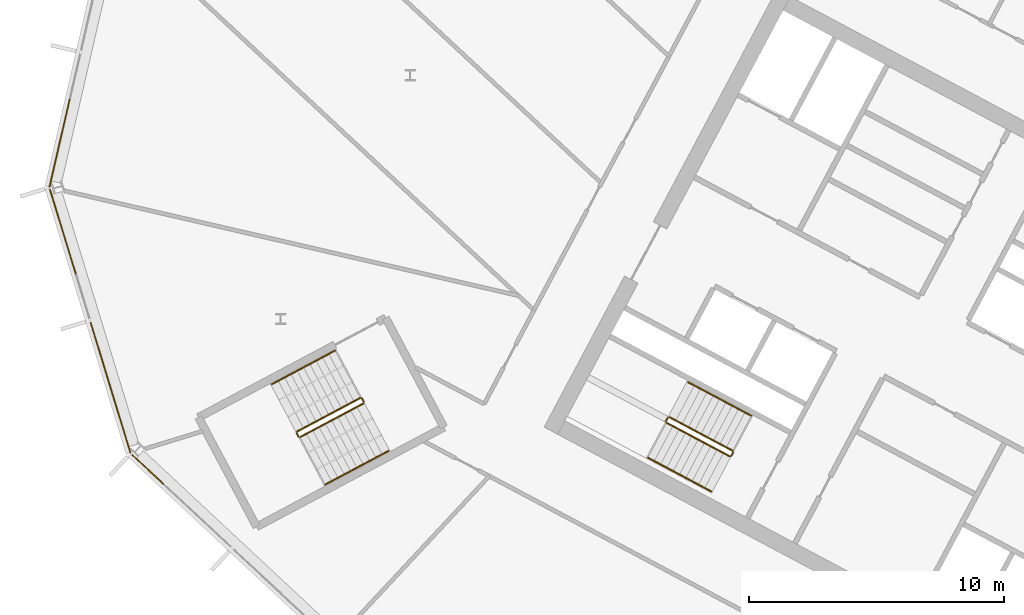
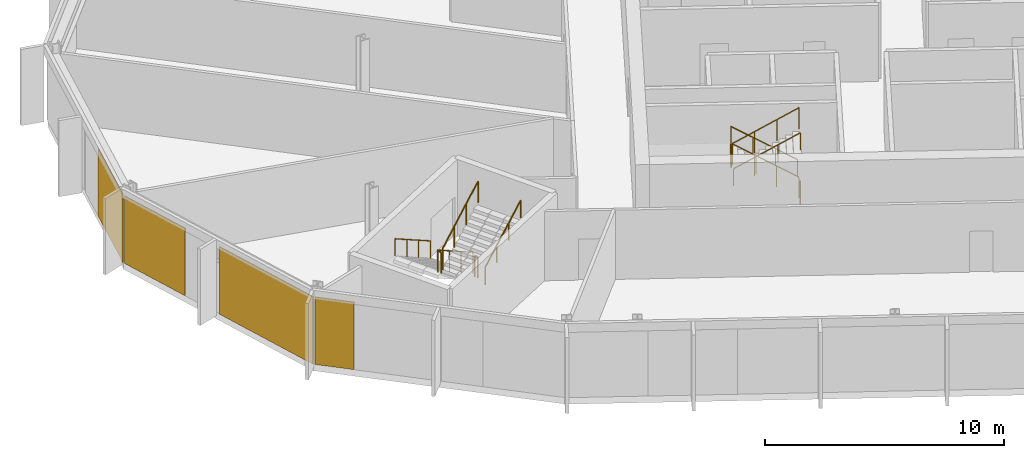
# One storey, part 20 of 26: 12 railings, 4 coverings, 3 elements without a shape of their own.
"""IFC4 building model written with IfcOpenShell, lengths in metres."""

import ifcopenshell
import ifcopenshell.guid

model = None  # the IFC model being written
_history = None  # IfcOwnerHistory: only IFC2X3 demands one
_inside = {}  # id of a spatial element -> (the spatial element, [elements in it])
_under = {}  # id of a project, library or spatial element -> (it, [spatial elements below it])
_declared = {}  # id of a project -> (the project, [libraries it declares])
_typed = {}  # id of a type object -> (the type object, [elements of that type])
_made_of = {}  # id of a material, layer set ... -> (it, [elements and type objects made of it])


def new_model(schema):
    """Start an empty IFC model of exactly this schema.

    Asked for "IFC4X3", IfcOpenShell would pick the latest addendum, in which some entities
    have other attributes; the version numbers below select the first issue.
    IFC2X3 requires an IfcOwnerHistory on every rooted entity: one is made here for all.
    """
    global model, _history
    if schema == "IFC4X3":
        model = ifcopenshell.file(schema_version=(4, 3, 0, 0))
    else:
        model = ifcopenshell.file(schema=schema)
    _inside.clear()
    _under.clear()
    _declared.clear()
    _typed.clear()
    _made_of.clear()
    _history = None
    if model.schema == "IFC2X3":
        org = make("IfcOrganization", Name="unknown")
        user = make(
            "IfcPersonAndOrganization",
            ThePerson=make("IfcPerson", FamilyName="unknown"),
            TheOrganization=org,
        )
        app = make(
            "IfcApplication",
            ApplicationDeveloper=org,
            Version="unknown",
            ApplicationFullName="unknown",
            ApplicationIdentifier="unknown",
        )
        _history = make(
            "IfcOwnerHistory",
            OwningUser=user,
            OwningApplication=app,
            ChangeAction="ADDED",
            CreationDate=0,
        )
    return model


def make(cls, **values):
    """One entity of the class cls with the attributes given. An attribute that is None is left unset."""
    return model.create_entity(
        cls, **{name: value for name, value in values.items() if value is not None}
    )


def rooted(cls, **values):
    """An entity with a GlobalId (a new one), such as an element, a storey or a relation."""
    return make(cls, GlobalId=ifcopenshell.guid.new(), OwnerHistory=_history, **values)


def si_unit(unit_type, name, prefix=None):
    """IfcSIUnit, for example si_unit("LENGTHUNIT", "METRE", prefix="MILLI")."""
    return make("IfcSIUnit", UnitType=unit_type, Prefix=prefix, Name=name)


def assignment(units):
    """IfcUnitAssignment: the units of a project."""
    return None if units is None else make("IfcUnitAssignment", Units=units)


def point(xyz):
    """IfcCartesianPoint."""
    return None if xyz is None else make("IfcCartesianPoint", Coordinates=xyz)


def direction(xyz):
    """IfcDirection."""
    return None if xyz is None else make("IfcDirection", DirectionRatios=xyz)


def frame(location, z_axis=None, x_axis=None):
    """IfcAxis2Placement3D, a coordinate frame: its origin and axes. An axis left out is left unset."""
    return make(
        "IfcAxis2Placement3D",
        Location=point(location),
        Axis=direction(z_axis),
        RefDirection=direction(x_axis),
    )


def frame_2d(location, x_axis=None):
    """IfcAxis2Placement2D, a coordinate frame in the plane: its origin and x axis."""
    return make(
        "IfcAxis2Placement2D", Location=point(location), RefDirection=direction(x_axis)
    )


def origin():
    """The frame at (0, 0, 0) with its axes left unset."""
    return frame((0.0, 0.0, 0.0))


def origin_2d():
    """The frame at (0, 0) in the plane with its x axis left unset."""
    return frame_2d((0.0, 0.0))


def place(relative_to, where):
    """IfcLocalPlacement: puts the frame where relative to a parent placement (None: the world)."""
    return make(
        "IfcLocalPlacement", PlacementRelTo=relative_to, RelativePlacement=where
    )


def context(
    kind, dimensions, precision=None, world=None, true_north=None, identifier=None
):
    """IfcGeometricRepresentationContext, for example the 3D "Model" context."""
    return make(
        "IfcGeometricRepresentationContext",
        ContextIdentifier=identifier,
        ContextType=kind,
        CoordinateSpaceDimension=dimensions,
        Precision=precision,
        WorldCoordinateSystem=world,
        TrueNorth=true_north,
    )


def subcontext(parent, identifier, kind, view, scale=None):
    """IfcGeometricRepresentationSubContext, for example "Body" below "Model"."""
    return make(
        "IfcGeometricRepresentationSubContext",
        ContextIdentifier=identifier,
        ContextType=kind,
        ParentContext=parent,
        TargetScale=scale,
        TargetView=view,
    )


def project(units=None, contexts=None):
    """IfcProject with its units and contexts."""
    return rooted(
        "IfcProject",
        Name="project",
        RepresentationContexts=contexts,
        UnitsInContext=assignment(units),
    )


def spatial(cls, under=None, at=None, **own):
    """A site, building, storey or space (cls), placed at a placement, below another one or the project."""
    s = rooted(cls, ObjectPlacement=at, **own)
    if under is not None:
        _under.setdefault(under.id(), (under, []))[1].append(s)
    return s


def polyline(points):
    """IfcPolyline through the points."""
    return make("IfcPolyline", Points=[point(p) for p in points])


def profile(cls, at=None, kind="AREA", **sizes):
    """A parametric profile (cls). Its sizes go by their IFC names, for example OverallWidth=200.0."""
    return make(cls, ProfileType=kind, Position=at, **sizes)


def rectangle(**sizes):
    """IfcRectangleProfileDef."""
    return profile("IfcRectangleProfileDef", **sizes)


def outline(outer, holes=None, kind="AREA"):
    """IfcArbitraryClosedProfileDef: a profile drawn as a closed curve; with holes, ...WithVoids."""
    if holes is None:
        return make("IfcArbitraryClosedProfileDef", ProfileType=kind, OuterCurve=outer)
    return make(
        "IfcArbitraryProfileDefWithVoids",
        ProfileType=kind,
        OuterCurve=outer,
        InnerCurves=holes,
    )


def extrude(swept, where, along, depth):
    """IfcExtrudedAreaSolid: the profile swept, set in the frame where, extruded along a direction by depth."""
    return make(
        "IfcExtrudedAreaSolid",
        SweptArea=swept,
        Position=where,
        ExtrudedDirection=direction(along),
        Depth=depth,
    )


def shape(context_of_items, identifier, shape_type, items):
    """IfcShapeRepresentation: the items that make up one representation, for example the "Body"."""
    return make(
        "IfcShapeRepresentation",
        ContextOfItems=context_of_items,
        RepresentationIdentifier=identifier,
        RepresentationType=shape_type,
        Items=items,
    )


def material(Name=None, Category=None):
    """IfcMaterial."""
    return make("IfcMaterial", Name=Name, Category=Category)


def layer(
    of_material, thickness, ventilated=None, Name=None, Category=None, Priority=None
):
    """IfcMaterialLayer: one layer of a wall or slab, of a material (None: an air gap)."""
    return make(
        "IfcMaterialLayer",
        Material=of_material,
        LayerThickness=thickness,
        IsVentilated=ventilated,
        Name=Name,
        Category=Category,
        Priority=Priority,
    )


def layer_set(layers, Name=None):
    """IfcMaterialLayerSet."""
    return make("IfcMaterialLayerSet", MaterialLayers=layers, LayerSetName=Name)


def made_of(thing, what):
    """Note that an element or type object is made of a material, layer set ...; save() writes the relation."""
    if what is not None:
        _made_of.setdefault(what.id(), (what, []))[1].append(thing)
    return thing


def type_object(cls, material=None, **own):
    """A type object (cls), such as IfcWallType, which elements share."""
    return made_of(rooted(cls, **own), material)


def element(
    cls,
    number,
    at=None,
    inside=None,
    cuts=None,
    type_object=None,
    material=None,
    context=None,
    identifier="Body",
    shape_type=None,
    held_by="IfcProductDefinitionShape",
    body=None,
    shapes=None,
    **own,
):
    """One element of the class cls, such as IfcWall. Its Tag is "e" and its number.

    at: its placement. inside: the storey or other place that contains it. cuts: it is an
    opening in that element (IfcRelVoidsElement). A single representation is given by context,
    identifier, shape_type and body (its items); several are given by shapes. held_by: the class
    of the entity that holds the representations. save() writes the other relations.
    """
    e = rooted(cls, Tag="e%d" % number, ObjectPlacement=at, **own)
    if body is not None:
        shapes = [shape(context, identifier, shape_type, body)]
    if shapes is not None:
        e.Representation = make(held_by, Representations=shapes)
    if inside is not None:
        _inside.setdefault(inside.id(), (inside, []))[1].append(e)
    if cuts is not None:
        rooted(
            "IfcRelVoidsElement", RelatingBuildingElement=cuts, RelatedOpeningElement=e
        )
    if type_object is not None:
        _typed.setdefault(type_object.id(), (type_object, []))[1].append(e)
    return made_of(e, material)


def aggregate(whole, parts):
    """IfcRelAggregates: a whole, such as a stair, and the parts it consists of."""
    return rooted("IfcRelAggregates", RelatingObject=whole, RelatedObjects=parts)


def save(model, path):
    """Write the relations noted so far, then the file.

    IfcRelAggregates (storeys below a building ...), IfcRelContainedInSpatialStructure (elements
    in a storey), IfcRelDefinesByType, IfcRelAssociatesMaterial and IfcRelDeclares: one each for
    every whole, place, type object, material and project.
    """
    for whole, parts in _under.values():
        aggregate(whole, parts)
    for where, things in _inside.values():
        rooted(
            "IfcRelContainedInSpatialStructure",
            RelatedElements=things,
            RelatingStructure=where,
        )
    for kind, things in _typed.values():
        rooted("IfcRelDefinesByType", RelatedObjects=things, RelatingType=kind)
    for what, things in _made_of.values():
        rooted("IfcRelAssociatesMaterial", RelatedObjects=things, RelatingMaterial=what)
    for by, libraries in _declared.values():
        rooted("IfcRelDeclares", RelatingContext=by, RelatedDefinitions=libraries)
    model.write(path)


model = new_model("IFC4")

# Units and contexts
model_context = context("Model", 3, precision=1e-05, world=origin(), true_north=direction((0.0, 1.0)))
body_context = subcontext(model_context, "Body", "Model", "MODEL_VIEW")
ifc_project = project(units=[si_unit("LENGTHUNIT", "METRE"), si_unit("AREAUNIT", "SQUARE_METRE"), si_unit("VOLUMEUNIT", "CUBIC_METRE"), si_unit("PLANEANGLEUNIT", "RADIAN"), si_unit("MASSUNIT", "GRAM", prefix="KILO")], contexts=[model_context])

# Site, building, storey
site_placement = place(None, origin())
site = spatial("IfcSite", under=ifc_project, at=site_placement, CompositionType="ELEMENT")
building_placement = place(site_placement, origin())
building = spatial("IfcBuilding", under=site, at=building_placement, Name="Cormorant Relay Tower", CompositionType="ELEMENT")
storey_placement = place(building_placement, frame((0.0, 0.0, 205.199951171875)))
storey = spatial("IfcBuildingStorey", under=building, at=storey_placement, Name="L44", CompositionType="ELEMENT", Elevation=205.199951171875)

# Curtain wall, covering
ifc_material_1 = material(Name="Aluminium 6063-T6 anodised bronze", Category="aluminium")
ifc_layer_1 = layer(ifc_material_1, 0.199951171875)
ifc_layer_set_1 = layer_set([ifc_layer_1], Name="CW1 unitised bronze curtain wall with vertical fins")
curtain_wall_type = type_object("IfcCurtainWallType", Name="CW1 unitised bronze curtain wall with vertical fins", PredefinedType="NOTDEFINED", material=ifc_layer_set_1)
curtain_wall_1_placement = place(storey_placement, origin())
curtain_wall_1 = element("IfcCurtainWall", 1, at=curtain_wall_1_placement, inside=storey, type_object=curtain_wall_type, Name="CW1 curtain wall 13", PredefinedType="NOTDEFINED")
ifc_material_2 = material(Name="Pale bronze anodised aluminium insulated panel", Category="aluminium")
ifc_layer_2 = layer(ifc_material_2, 0.0400390625)
ifc_layer_set_2 = layer_set([ifc_layer_2], Name="CW1 pale bronze insulated panel 40")
covering_type = type_object("IfcCoveringType", Name="CW1 pale bronze insulated panel 40", PredefinedType="CLADDING", material=ifc_layer_set_2)
covering_1_placement = place(storey_placement, frame((-60.3388671875, 22.13232421875, 0.0), z_axis=(0.0, 0.0, 1.0), x_axis=(-0.224951054344, -0.974370064785, 0.0)))
covering_1 = element("IfcCovering", 2, at=covering_1_placement, type_object=covering_type, Name="CW1 panel S02", PredefinedType="CLADDING", context=body_context, shape_type="SweptSolid", body=[
    extrude(rectangle(XDim=3.560302734375, YDim=0.0400390625, at=origin_2d()), origin(), (0.0, 0.0, 1.0), 3.449951171875),
])
aggregate(curtain_wall_1, [covering_1])

# Curtain wall, coverings
curtain_wall_2_placement = place(storey_placement, origin())
curtain_wall_2 = element("IfcCurtainWall", 3, at=curtain_wall_2_placement, inside=storey, type_object=curtain_wall_type, Name="CW1 curtain wall 14", PredefinedType="NOTDEFINED")
covering_2_placement = place(storey_placement, frame((-60.20751953125, 18.6494140625, 0.0), z_axis=(0.0, 0.0, 1.0), x_axis=(0.292371704723, -0.956304755963, 0.0)))
covering_2 = element("IfcCovering", 4, at=covering_2_placement, type_object=covering_type, Name="CW1 panel S00", PredefinedType="CLADDING", context=body_context, shape_type="SweptSolid", body=[
    extrude(rectangle(XDim=3.485107421875, YDim=0.0400390625, at=origin_2d()), origin(), (0.0, 0.0, 1.0), 3.449951171875),
])
covering_3_placement = place(storey_placement, frame((-58.344482421875, 12.55517578125, 0.0), z_axis=(0.0, 0.0, 1.0), x_axis=(0.292371704723, -0.956304755963, 0.0)))
covering_3 = element("IfcCovering", 5, at=covering_3_placement, type_object=covering_type, Name="CW1 panel S02", PredefinedType="CLADDING", context=body_context, shape_type="SweptSolid", body=[
    extrude(rectangle(XDim=5.360107421875, YDim=0.0400390625, at=origin_2d()), origin(), (0.0, 0.0, 1.0), 3.449951171875),
])
aggregate(curtain_wall_2, [covering_2, covering_3])

# Curtain wall, covering
curtain_wall_3_placement = place(storey_placement, origin())
curtain_wall_3 = element("IfcCurtainWall", 6, at=curtain_wall_3_placement, inside=storey, type_object=curtain_wall_type, Name="CW1 curtain wall 15", PredefinedType="NOTDEFINED")
covering_4_placement = place(storey_placement, frame((-56.88427734375, 9.357421875, 0.0), z_axis=(0.0, 0.0, 1.0), x_axis=(0.731353701619, -0.681998360062, 0.0)))
covering_4 = element("IfcCovering", 7, at=covering_4_placement, type_object=covering_type, Name="CW1 panel S00", PredefinedType="CLADDING", context=body_context, shape_type="SweptSolid", body=[
    extrude(rectangle(XDim=1.685302734375, YDim=0.0400390625, at=origin_2d()), origin(), (0.0, 0.0, 1.0), 3.449951171875),
])
aggregate(curtain_wall_3, [covering_4])

# Railings
ifc_material_3 = material(Name="Steel ASTM A572 Grade 50 (Fy 345 MPa)", Category="steel")
railing_type_1 = type_object("IfcRailingType", Name="Stair guard 1100", PredefinedType="GUARDRAIL", material=ifc_material_3)
railing_1_placement = place(storey_placement, frame((-33.9921875, 10.08935546875, 0.17724609375)))
element("IfcRailing", 8, at=railing_1_placement, inside=storey, type_object=railing_type_1, Name="L44 A2 stair guard 1", PredefinedType="GUARDRAIL", context=body_context, shape_type="SweptSolid", body=[
    extrude(outline(polyline([(0.022216796875, 0.00927734375), (0.00927734375, 0.022216796875), (-0.00927734375, 0.022216796875), (-0.022216796875, 0.00927734375), (-0.022216796875, -0.00927734375), (-0.00927734375, -0.022216796875), (0.00927734375, -0.022216796875), (0.022216796875, -0.00927734375), (0.022216796875, 0.00927734375)])), frame((0.0, 0.0, 1.076171875), z_axis=(-0.746001213114, 0.396649272309, 0.534931345884), x_axis=(-0.469465464807, -0.882950835185, 0.0)), (0.0, 0.0, 1.0), 3.31396484375),
    extrude(outline(polyline([(0.019287109375, 0.008056640625), (0.008056640625, 0.019287109375), (-0.008056640625, 0.019287109375), (-0.019287109375, 0.008056640625), (-0.019287109375, -0.008056640625), (-0.008056640625, -0.019287109375), (0.008056640625, -0.019287109375), (0.019287109375, -0.008056640625), (0.019287109375, 0.008056640625)])), origin(), (0.0, 0.0, 1.0), 1.052001953125),
    extrude(outline(polyline([(0.019287109375, 0.008056640625), (0.008056640625, 0.019287109375), (-0.008056640625, 0.019287109375), (-0.019287109375, 0.008056640625), (-0.019287109375, -0.008056640625), (-0.008056640625, -0.019287109375), (0.008056640625, -0.019287109375), (0.019287109375, -0.008056640625), (0.019287109375, 0.008056640625)])), frame((-0.823974609375, 0.438232421875, 0.5908203125)), (0.0, 0.0, 1.0), 1.052001953125),
    extrude(outline(polyline([(0.019287109375, 0.008056640625), (0.008056640625, 0.019287109375), (-0.008056640625, 0.019287109375), (-0.019287109375, 0.008056640625), (-0.019287109375, -0.008056640625), (-0.008056640625, -0.019287109375), (0.008056640625, -0.019287109375), (0.019287109375, -0.008056640625), (0.019287109375, 0.008056640625)])), frame((-1.648193359375, 0.876220703125, 1.181884765625)), (0.0, 0.0, 1.0), 1.052001953125),
    extrude(outline(polyline([(0.019287109375, 0.008056640625), (0.008056640625, 0.019287109375), (-0.008056640625, 0.019287109375), (-0.019287109375, 0.008056640625), (-0.019287109375, -0.008056640625), (-0.008056640625, -0.019287109375), (0.008056640625, -0.019287109375), (0.019287109375, -0.008056640625), (0.019287109375, 0.008056640625)])), frame((-2.47216796875, 1.314453125, 1.772705078125)), (0.0, 0.0, 1.0), 1.052001953125),
])
railing_2_placement = place(storey_placement, frame((-36.531982421875, 11.38330078125, 1.949951171875)))
element("IfcRailing", 9, at=railing_2_placement, inside=storey, type_object=railing_type_1, Name="L44 A2 stair guard 2", PredefinedType="GUARDRAIL", context=body_context, shape_type="SweptSolid", body=[
    extrude(outline(polyline([(0.022216796875, 0.00927734375), (0.00927734375, 0.022216796875), (-0.00927734375, 0.022216796875), (-0.022216796875, 0.00927734375), (-0.022216796875, -0.00927734375), (-0.00927734375, -0.022216796875), (0.00927734375, -0.022216796875), (0.022216796875, -0.00927734375), (0.022216796875, 0.00927734375)])), frame((0.0, 0.0, 1.076171875), z_axis=(-0.469828648786, -0.882757634224, 0.0), x_axis=(0.882757634224, -0.469828648786, 0.0)), (0.0, 0.0, 1.0), 0.150146484375),
    extrude(outline(polyline([(0.019287109375, 0.008056640625), (0.008056640625, 0.019287109375), (-0.008056640625, 0.019287109375), (-0.019287109375, 0.008056640625), (-0.019287109375, -0.008056640625), (-0.008056640625, -0.019287109375), (0.008056640625, -0.019287109375), (0.019287109375, -0.008056640625), (0.019287109375, 0.008056640625)])), origin(), (0.0, 0.0, 1.0), 1.052001953125),
    extrude(outline(polyline([(0.019287109375, 0.008056640625), (0.008056640625, 0.019287109375), (-0.008056640625, 0.019287109375), (-0.019287109375, 0.008056640625), (-0.019287109375, -0.008056640625), (-0.008056640625, -0.019287109375), (0.008056640625, -0.019287109375), (0.019287109375, -0.008056640625), (0.019287109375, 0.008056640625)])), frame((-0.070556640625, -0.132568359375, 0.0)), (0.0, 0.0, 1.0), 1.052001953125),
])
railing_3_placement = place(storey_placement, frame((-36.581787109375, 11.18310546875, 2.12744140625)))
element("IfcRailing", 10, at=railing_3_placement, inside=storey, type_object=railing_type_1, Name="L44 A2 stair guard 3", PredefinedType="GUARDRAIL", context=body_context, shape_type="SweptSolid", body=[
    extrude(outline(polyline([(0.022216796875, 0.00927734375), (0.00927734375, 0.022216796875), (-0.00927734375, 0.022216796875), (-0.022216796875, 0.00927734375), (-0.022216796875, -0.00927734375), (-0.00927734375, -0.022216796875), (0.00927734375, -0.022216796875), (0.022216796875, -0.00927734375), (0.022216796875, 0.00927734375)])), frame((0.0, 0.0, 1.076171875), z_axis=(0.746001213114, -0.396649272309, 0.534931345884), x_axis=(0.469465464807, 0.882950835185, 0.0)), (0.0, 0.0, 1.0), 3.31396484375),
    extrude(outline(polyline([(0.019287109375, 0.008056640625), (0.008056640625, 0.019287109375), (-0.008056640625, 0.019287109375), (-0.019287109375, 0.008056640625), (-0.019287109375, -0.008056640625), (-0.008056640625, -0.019287109375), (0.008056640625, -0.019287109375), (0.019287109375, -0.008056640625), (0.019287109375, 0.008056640625)])), origin(), (0.0, 0.0, 1.0), 1.052001953125),
    extrude(outline(polyline([(0.019287109375, 0.008056640625), (0.008056640625, 0.019287109375), (-0.008056640625, 0.019287109375), (-0.019287109375, 0.008056640625), (-0.019287109375, -0.008056640625), (-0.008056640625, -0.019287109375), (0.008056640625, -0.019287109375), (0.019287109375, -0.008056640625), (0.019287109375, 0.008056640625)])), frame((0.823974609375, -0.438232421875, 0.5908203125)), (0.0, 0.0, 1.0), 1.052001953125),
    extrude(outline(polyline([(0.019287109375, 0.008056640625), (0.008056640625, 0.019287109375), (-0.008056640625, 0.019287109375), (-0.019287109375, 0.008056640625), (-0.019287109375, -0.008056640625), (-0.008056640625, -0.019287109375), (0.008056640625, -0.019287109375), (0.019287109375, -0.008056640625), (0.019287109375, 0.008056640625)])), frame((1.648193359375, -0.876220703125, 1.181884765625)), (0.0, 0.0, 1.0), 1.052001953125),
    extrude(outline(polyline([(0.019287109375, 0.008056640625), (0.008056640625, 0.019287109375), (-0.008056640625, 0.019287109375), (-0.019287109375, 0.008056640625), (-0.019287109375, -0.008056640625), (-0.008056640625, -0.019287109375), (0.008056640625, -0.019287109375), (0.019287109375, -0.008056640625), (0.019287109375, 0.008056640625)])), frame((2.47216796875, -1.314453125, 1.772705078125)), (0.0, 0.0, 1.0), 1.052001953125),
])
railing_4_placement = place(storey_placement, frame((-33.971435546875, 10.021728515625, 0.0)))
element("IfcRailing", 11, at=railing_4_placement, inside=storey, type_object=railing_type_1, Name="L44 A2 stair guard 4", PredefinedType="GUARDRAIL", context=body_context, shape_type="SweptSolid", body=[
    extrude(outline(polyline([(0.022216796875, 0.00927734375), (0.00927734375, 0.022216796875), (-0.00927734375, 0.022216796875), (-0.022216796875, 0.00927734375), (-0.022216796875, -0.00927734375), (-0.00927734375, -0.022216796875), (0.00927734375, -0.022216796875), (0.022216796875, -0.00927734375), (0.022216796875, 0.00927734375)])), frame((0.0, 0.0, 1.076171875), z_axis=(-0.470503732759, -0.882398003998, 0.0), x_axis=(0.882398003998, -0.470503732759, 0.0)), (0.0, 0.0, 1.0), 0.14990234375),
    extrude(outline(polyline([(0.019287109375, 0.008056640625), (0.008056640625, 0.019287109375), (-0.008056640625, 0.019287109375), (-0.019287109375, 0.008056640625), (-0.019287109375, -0.008056640625), (-0.008056640625, -0.019287109375), (0.008056640625, -0.019287109375), (0.019287109375, -0.008056640625), (0.019287109375, 0.008056640625)])), origin(), (0.0, 0.0, 1.0), 1.052001953125),
    extrude(outline(polyline([(0.019287109375, 0.008056640625), (0.008056640625, 0.019287109375), (-0.008056640625, 0.019287109375), (-0.019287109375, 0.008056640625), (-0.019287109375, -0.008056640625), (-0.008056640625, -0.019287109375), (0.008056640625, -0.019287109375), (0.019287109375, -0.008056640625), (0.019287109375, 0.008056640625)])), frame((-0.070556640625, -0.13232421875, 0.0)), (0.0, 0.0, 1.0), 1.052001953125),
])
railing_5_placement = place(storey_placement, frame((-48.5693359375, 12.155517578125, 0.17724609375)))
element("IfcRailing", 12, at=railing_5_placement, inside=storey, type_object=railing_type_1, Name="L44 RP1 stair guard 1", PredefinedType="GUARDRAIL", context=body_context, shape_type="SweptSolid", body=[
    extrude(outline(polyline([(0.022216796875, 0.00927734375), (0.00927734375, 0.022216796875), (-0.00927734375, 0.022216796875), (-0.022216796875, 0.00927734375), (-0.022216796875, -0.00927734375), (-0.00927734375, -0.022216796875), (0.00927734375, -0.022216796875), (0.022216796875, -0.00927734375), (0.022216796875, 0.00927734375)])), frame((0.0, 0.0, 1.076171875), z_axis=(-0.746012083385, -0.396689549623, 0.534886317514), x_axis=(0.469497295046, -0.882933910293, 0.0)), (0.0, 0.0, 1.0), 3.314208984375),
    extrude(outline(polyline([(0.019287109375, 0.008056640625), (0.008056640625, 0.019287109375), (-0.008056640625, 0.019287109375), (-0.019287109375, 0.008056640625), (-0.019287109375, -0.008056640625), (-0.008056640625, -0.019287109375), (0.008056640625, -0.019287109375), (0.019287109375, -0.008056640625), (0.019287109375, 0.008056640625)])), origin(), (0.0, 0.0, 1.0), 1.052001953125),
    extrude(outline(polyline([(0.019287109375, 0.008056640625), (0.008056640625, 0.019287109375), (-0.008056640625, 0.019287109375), (-0.019287109375, 0.008056640625), (-0.019287109375, -0.008056640625), (-0.008056640625, -0.019287109375), (0.008056640625, -0.019287109375), (0.019287109375, -0.008056640625), (0.019287109375, 0.008056640625)])), frame((-0.82421875, -0.438232421875, 0.5908203125)), (0.0, 0.0, 1.0), 1.052001953125),
    extrude(outline(polyline([(0.019287109375, 0.008056640625), (0.008056640625, 0.019287109375), (-0.008056640625, 0.019287109375), (-0.019287109375, 0.008056640625), (-0.019287109375, -0.008056640625), (-0.008056640625, -0.019287109375), (0.008056640625, -0.019287109375), (0.019287109375, -0.008056640625), (0.019287109375, 0.008056640625)])), frame((-1.648193359375, -0.87646484375, 1.181884765625)), (0.0, 0.0, 1.0), 1.052001953125),
    extrude(outline(polyline([(0.019287109375, 0.008056640625), (0.008056640625, 0.019287109375), (-0.008056640625, 0.019287109375), (-0.019287109375, 0.008056640625), (-0.019287109375, -0.008056640625), (-0.008056640625, -0.019287109375), (0.008056640625, -0.019287109375), (0.019287109375, -0.008056640625), (0.019287109375, 0.008056640625)])), frame((-2.472412109375, -1.314697265625, 1.772705078125)), (0.0, 0.0, 1.0), 1.052001953125),
])
railing_6_placement = place(storey_placement, frame((-51.062255859375, 10.773193359375, 1.949951171875)))
element("IfcRailing", 13, at=railing_6_placement, inside=storey, type_object=railing_type_1, Name="L44 RP1 stair guard 2", PredefinedType="GUARDRAIL", context=body_context, shape_type="SweptSolid", body=[
    extrude(outline(polyline([(0.022216796875, 0.00927734375), (0.00927734375, 0.022216796875), (-0.00927734375, 0.022216796875), (-0.022216796875, 0.00927734375), (-0.022216796875, -0.00927734375), (-0.00927734375, -0.022216796875), (0.00927734375, -0.022216796875), (0.022216796875, -0.00927734375), (0.022216796875, 0.00927734375)])), frame((0.0, 0.0, 1.076171875), z_axis=(0.469234640946, -0.883073525669, 0.0), x_axis=(0.883073525669, 0.469234640946, 0.0)), (0.0, 0.0, 1.0), 0.14990234375),
    extrude(outline(polyline([(0.019287109375, 0.008056640625), (0.008056640625, 0.019287109375), (-0.008056640625, 0.019287109375), (-0.019287109375, 0.008056640625), (-0.019287109375, -0.008056640625), (-0.008056640625, -0.019287109375), (0.008056640625, -0.019287109375), (0.019287109375, -0.008056640625), (0.019287109375, 0.008056640625)])), origin(), (0.0, 0.0, 1.0), 1.052001953125),
    extrude(outline(polyline([(0.019287109375, 0.008056640625), (0.008056640625, 0.019287109375), (-0.008056640625, 0.019287109375), (-0.019287109375, 0.008056640625), (-0.019287109375, -0.008056640625), (-0.008056640625, -0.019287109375), (0.008056640625, -0.019287109375), (0.019287109375, -0.008056640625), (0.019287109375, 0.008056640625)])), frame((0.0703125, -0.13232421875, 0.0)), (0.0, 0.0, 1.0), 1.052001953125),
])
railing_7_placement = place(storey_placement, frame((-50.92431640625, 10.6201171875, 2.12744140625)))
element("IfcRailing", 14, at=railing_7_placement, inside=storey, type_object=railing_type_1, Name="L44 RP1 stair guard 3", PredefinedType="GUARDRAIL", context=body_context, shape_type="SweptSolid", body=[
    extrude(outline(polyline([(0.022216796875, 0.00927734375), (0.00927734375, 0.022216796875), (-0.00927734375, 0.022216796875), (-0.022216796875, 0.00927734375), (-0.022216796875, -0.00927734375), (-0.00927734375, -0.022216796875), (0.00927734375, -0.022216796875), (0.022216796875, -0.00927734375), (0.022216796875, 0.00927734375)])), frame((0.0, 0.0, 1.076171875), z_axis=(0.746033882577, 0.396627473466, 0.534901947407), x_axis=(-0.469429322983, 0.882970050864, 0.0)), (0.0, 0.0, 1.0), 3.31396484375),
    extrude(outline(polyline([(0.019287109375, 0.008056640625), (0.008056640625, 0.019287109375), (-0.008056640625, 0.019287109375), (-0.019287109375, 0.008056640625), (-0.019287109375, -0.008056640625), (-0.008056640625, -0.019287109375), (0.008056640625, -0.019287109375), (0.019287109375, -0.008056640625), (0.019287109375, 0.008056640625)])), origin(), (0.0, 0.0, 1.0), 1.052001953125),
    extrude(outline(polyline([(0.019287109375, 0.008056640625), (0.008056640625, 0.019287109375), (-0.008056640625, 0.019287109375), (-0.019287109375, 0.008056640625), (-0.019287109375, -0.008056640625), (-0.008056640625, -0.019287109375), (0.008056640625, -0.019287109375), (0.019287109375, -0.008056640625), (0.019287109375, 0.008056640625)])), frame((0.82421875, 0.438232421875, 0.5908203125)), (0.0, 0.0, 1.0), 1.052001953125),
    extrude(outline(polyline([(0.019287109375, 0.008056640625), (0.008056640625, 0.019287109375), (-0.008056640625, 0.019287109375), (-0.019287109375, 0.008056640625), (-0.019287109375, -0.008056640625), (-0.008056640625, -0.019287109375), (0.008056640625, -0.019287109375), (0.019287109375, -0.008056640625), (0.019287109375, 0.008056640625)])), frame((1.648193359375, 0.876220703125, 1.181884765625)), (0.0, 0.0, 1.0), 1.052001953125),
    extrude(outline(polyline([(0.019287109375, 0.008056640625), (0.008056640625, 0.019287109375), (-0.008056640625, 0.019287109375), (-0.019287109375, 0.008056640625), (-0.019287109375, -0.008056640625), (-0.008056640625, -0.019287109375), (0.008056640625, -0.019287109375), (0.019287109375, -0.008056640625), (0.019287109375, 0.008056640625)])), frame((2.472412109375, 1.314453125, 1.772705078125)), (0.0, 0.0, 1.0), 1.052001953125),
])
railing_8_placement = place(storey_placement, frame((-48.501708984375, 12.134765625, 0.0)))
element("IfcRailing", 15, at=railing_8_placement, inside=storey, type_object=railing_type_1, Name="L44 RP1 stair guard 4", PredefinedType="GUARDRAIL", context=body_context, shape_type="SweptSolid", body=[
    extrude(outline(polyline([(0.022216796875, 0.00927734375), (0.00927734375, 0.022216796875), (-0.00927734375, 0.022216796875), (-0.022216796875, 0.00927734375), (-0.022216796875, -0.00927734375), (-0.00927734375, -0.022216796875), (0.00927734375, -0.022216796875), (0.022216796875, -0.00927734375), (0.022216796875, 0.00927734375)])), frame((0.0, 0.0, 1.076171875), z_axis=(0.46856034887, -0.8834314911, 0.0), x_axis=(0.8834314911, 0.46856034887, 0.0)), (0.0, 0.0, 1.0), 0.150146484375),
    extrude(outline(polyline([(0.019287109375, 0.008056640625), (0.008056640625, 0.019287109375), (-0.008056640625, 0.019287109375), (-0.019287109375, 0.008056640625), (-0.019287109375, -0.008056640625), (-0.008056640625, -0.019287109375), (0.008056640625, -0.019287109375), (0.019287109375, -0.008056640625), (0.019287109375, 0.008056640625)])), origin(), (0.0, 0.0, 1.0), 1.052001953125),
    extrude(outline(polyline([(0.019287109375, 0.008056640625), (0.008056640625, 0.019287109375), (-0.008056640625, 0.019287109375), (-0.019287109375, 0.008056640625), (-0.019287109375, -0.008056640625), (-0.008056640625, -0.019287109375), (0.008056640625, -0.019287109375), (0.019287109375, -0.008056640625), (0.019287109375, 0.008056640625)])), frame((0.0703125, -0.132568359375, 0.0)), (0.0, 0.0, 1.0), 1.052001953125),
])
ifc_material_4 = material(Name="Steel ASTM A572 Grade 50 (Fy 345 MPa)", Category="steel")
railing_type_2 = type_object("IfcRailingType", Name="Stair handrail 900", PredefinedType="HANDRAIL", material=ifc_material_4)
railing_9_placement = place(storey_placement, frame((-33.264404296875, 11.4580078125, 0.17724609375)))
element("IfcRailing", 16, at=railing_9_placement, inside=storey, type_object=railing_type_2, Name="L44 A2 stair handrail 1", PredefinedType="HANDRAIL", context=body_context, shape_type="SweptSolid", body=[
    extrude(outline(polyline([(0.022216796875, 0.00927734375), (0.00927734375, 0.022216796875), (-0.00927734375, 0.022216796875), (-0.022216796875, 0.00927734375), (-0.022216796875, -0.00927734375), (-0.00927734375, -0.022216796875), (0.00927734375, -0.022216796875), (0.022216796875, -0.00927734375), (0.022216796875, 0.00927734375)])), frame((0.0, 0.0, 0.8759765625), z_axis=(-0.746033882577, 0.396627473466, 0.534901947407), x_axis=(-0.469429322983, -0.882970050864, 0.0)), (0.0, 0.0, 1.0), 3.31396484375),
    extrude(outline(polyline([(0.019287109375, 0.008056640625), (0.008056640625, 0.019287109375), (-0.008056640625, 0.019287109375), (-0.019287109375, 0.008056640625), (-0.019287109375, -0.008056640625), (-0.008056640625, -0.019287109375), (0.008056640625, -0.019287109375), (0.019287109375, -0.008056640625), (0.019287109375, 0.008056640625)])), origin(), (0.0, 0.0, 1.0), 0.851806640625),
    extrude(outline(polyline([(0.019287109375, 0.008056640625), (0.008056640625, 0.019287109375), (-0.008056640625, 0.019287109375), (-0.019287109375, 0.008056640625), (-0.019287109375, -0.008056640625), (-0.008056640625, -0.019287109375), (0.008056640625, -0.019287109375), (0.019287109375, -0.008056640625), (0.019287109375, 0.008056640625)])), frame((-0.82421875, 0.438232421875, 0.5908203125)), (0.0, 0.0, 1.0), 0.851806640625),
    extrude(outline(polyline([(0.019287109375, 0.008056640625), (0.008056640625, 0.019287109375), (-0.008056640625, 0.019287109375), (-0.019287109375, 0.008056640625), (-0.019287109375, -0.008056640625), (-0.008056640625, -0.019287109375), (0.008056640625, -0.019287109375), (0.019287109375, -0.008056640625), (0.019287109375, 0.008056640625)])), frame((-1.648193359375, 0.876220703125, 1.181884765625)), (0.0, 0.0, 1.0), 0.851806640625),
    extrude(outline(polyline([(0.019287109375, 0.008056640625), (0.008056640625, 0.019287109375), (-0.008056640625, 0.019287109375), (-0.019287109375, 0.008056640625), (-0.019287109375, -0.008056640625), (-0.008056640625, -0.019287109375), (0.008056640625, -0.019287109375), (0.019287109375, -0.008056640625), (0.019287109375, 0.008056640625)])), frame((-2.472412109375, 1.314453125, 1.772705078125)), (0.0, 0.0, 1.0), 0.851806640625),
])
railing_10_placement = place(storey_placement, frame((-37.3095703125, 9.814453125, 2.12744140625)))
element("IfcRailing", 17, at=railing_10_placement, inside=storey, type_object=railing_type_2, Name="L44 A2 stair handrail 2", PredefinedType="HANDRAIL", context=body_context, shape_type="SweptSolid", body=[
    extrude(outline(polyline([(0.022216796875, 0.00927734375), (0.00927734375, 0.022216796875), (-0.00927734375, 0.022216796875), (-0.022216796875, 0.00927734375), (-0.022216796875, -0.00927734375), (-0.00927734375, -0.022216796875), (0.00927734375, -0.022216796875), (0.022216796875, -0.00927734375), (0.022216796875, 0.00927734375)])), frame((0.0, 0.0, 0.8759765625), z_axis=(0.746033882577, -0.396627473466, 0.534901947407), x_axis=(0.469429322983, 0.882970050864, 0.0)), (0.0, 0.0, 1.0), 3.31396484375),
    extrude(outline(polyline([(0.019287109375, 0.008056640625), (0.008056640625, 0.019287109375), (-0.008056640625, 0.019287109375), (-0.019287109375, 0.008056640625), (-0.019287109375, -0.008056640625), (-0.008056640625, -0.019287109375), (0.008056640625, -0.019287109375), (0.019287109375, -0.008056640625), (0.019287109375, 0.008056640625)])), origin(), (0.0, 0.0, 1.0), 0.851806640625),
    extrude(outline(polyline([(0.019287109375, 0.008056640625), (0.008056640625, 0.019287109375), (-0.008056640625, 0.019287109375), (-0.019287109375, 0.008056640625), (-0.019287109375, -0.008056640625), (-0.008056640625, -0.019287109375), (0.008056640625, -0.019287109375), (0.019287109375, -0.008056640625), (0.019287109375, 0.008056640625)])), frame((0.82421875, -0.438232421875, 0.5908203125)), (0.0, 0.0, 1.0), 0.851806640625),
    extrude(outline(polyline([(0.019287109375, 0.008056640625), (0.008056640625, 0.019287109375), (-0.008056640625, 0.019287109375), (-0.019287109375, 0.008056640625), (-0.019287109375, -0.008056640625), (-0.008056640625, -0.019287109375), (0.008056640625, -0.019287109375), (0.019287109375, -0.008056640625), (0.019287109375, 0.008056640625)])), frame((1.648193359375, -0.876220703125, 1.181884765625)), (0.0, 0.0, 1.0), 0.851806640625),
    extrude(outline(polyline([(0.019287109375, 0.008056640625), (0.008056640625, 0.019287109375), (-0.008056640625, 0.019287109375), (-0.019287109375, 0.008056640625), (-0.019287109375, -0.008056640625), (-0.008056640625, -0.019287109375), (0.008056640625, -0.019287109375), (0.019287109375, -0.008056640625), (0.019287109375, 0.008056640625)])), frame((2.472412109375, -1.314453125, 1.772705078125)), (0.0, 0.0, 1.0), 0.851806640625),
])
railing_11_placement = place(storey_placement, frame((-49.55517578125, 14.009521484375, 0.17724609375)))
element("IfcRailing", 18, at=railing_11_placement, inside=storey, type_object=railing_type_2, Name="L44 RP1 stair handrail 1", PredefinedType="HANDRAIL", context=body_context, shape_type="SweptSolid", body=[
    extrude(outline(polyline([(0.022216796875, 0.00927734375), (0.00927734375, 0.022216796875), (-0.00927734375, 0.022216796875), (-0.022216796875, 0.00927734375), (-0.022216796875, -0.00927734375), (-0.00927734375, -0.022216796875), (0.00927734375, -0.022216796875), (0.022216796875, -0.00927734375), (0.022216796875, 0.00927734375)])), frame((0.0, 0.0, 0.8759765625), z_axis=(-0.746033882577, -0.396627473466, 0.534901947407), x_axis=(0.469429322983, -0.882970050864, 0.0)), (0.0, 0.0, 1.0), 3.31396484375),
    extrude(outline(polyline([(0.019287109375, 0.008056640625), (0.008056640625, 0.019287109375), (-0.008056640625, 0.019287109375), (-0.019287109375, 0.008056640625), (-0.019287109375, -0.008056640625), (-0.008056640625, -0.019287109375), (0.008056640625, -0.019287109375), (0.019287109375, -0.008056640625), (0.019287109375, 0.008056640625)])), origin(), (0.0, 0.0, 1.0), 0.851806640625),
    extrude(outline(polyline([(0.019287109375, 0.008056640625), (0.008056640625, 0.019287109375), (-0.008056640625, 0.019287109375), (-0.019287109375, 0.008056640625), (-0.019287109375, -0.008056640625), (-0.008056640625, -0.019287109375), (0.008056640625, -0.019287109375), (0.019287109375, -0.008056640625), (0.019287109375, 0.008056640625)])), frame((-0.82421875, -0.438232421875, 0.5908203125)), (0.0, 0.0, 1.0), 0.851806640625),
    extrude(outline(polyline([(0.019287109375, 0.008056640625), (0.008056640625, 0.019287109375), (-0.008056640625, 0.019287109375), (-0.019287109375, 0.008056640625), (-0.019287109375, -0.008056640625), (-0.008056640625, -0.019287109375), (0.008056640625, -0.019287109375), (0.019287109375, -0.008056640625), (0.019287109375, 0.008056640625)])), frame((-1.648193359375, -0.876220703125, 1.181884765625)), (0.0, 0.0, 1.0), 0.851806640625),
    extrude(outline(polyline([(0.019287109375, 0.008056640625), (0.008056640625, 0.019287109375), (-0.008056640625, 0.019287109375), (-0.019287109375, 0.008056640625), (-0.019287109375, -0.008056640625), (-0.008056640625, -0.019287109375), (0.008056640625, -0.019287109375), (0.019287109375, -0.008056640625), (0.019287109375, 0.008056640625)])), frame((-2.472412109375, -1.314453125, 1.772705078125)), (0.0, 0.0, 1.0), 0.851806640625),
])
railing_12_placement = place(storey_placement, frame((-49.9384765625, 8.765869140625, 2.12744140625)))
element("IfcRailing", 19, at=railing_12_placement, inside=storey, type_object=railing_type_2, Name="L44 RP1 stair handrail 2", PredefinedType="HANDRAIL", context=body_context, shape_type="SweptSolid", body=[
    extrude(outline(polyline([(0.022216796875, 0.00927734375), (0.00927734375, 0.022216796875), (-0.00927734375, 0.022216796875), (-0.022216796875, 0.00927734375), (-0.022216796875, -0.00927734375), (-0.00927734375, -0.022216796875), (0.00927734375, -0.022216796875), (0.022216796875, -0.00927734375), (0.022216796875, 0.00927734375)])), frame((0.0, 0.0, 0.8759765625), z_axis=(0.746012083385, 0.396689549623, 0.534886317514), x_axis=(-0.469497295046, 0.882933910293, 0.0)), (0.0, 0.0, 1.0), 3.314208984375),
    extrude(outline(polyline([(0.019287109375, 0.008056640625), (0.008056640625, 0.019287109375), (-0.008056640625, 0.019287109375), (-0.019287109375, 0.008056640625), (-0.019287109375, -0.008056640625), (-0.008056640625, -0.019287109375), (0.008056640625, -0.019287109375), (0.019287109375, -0.008056640625), (0.019287109375, 0.008056640625)])), origin(), (0.0, 0.0, 1.0), 0.851806640625),
    extrude(outline(polyline([(0.019287109375, 0.008056640625), (0.008056640625, 0.019287109375), (-0.008056640625, 0.019287109375), (-0.019287109375, 0.008056640625), (-0.019287109375, -0.008056640625), (-0.008056640625, -0.019287109375), (0.008056640625, -0.019287109375), (0.019287109375, -0.008056640625), (0.019287109375, 0.008056640625)])), frame((0.82421875, 0.438232421875, 0.5908203125)), (0.0, 0.0, 1.0), 0.851806640625),
    extrude(outline(polyline([(0.019287109375, 0.008056640625), (0.008056640625, 0.019287109375), (-0.008056640625, 0.019287109375), (-0.019287109375, 0.008056640625), (-0.019287109375, -0.008056640625), (-0.008056640625, -0.019287109375), (0.008056640625, -0.019287109375), (0.019287109375, -0.008056640625), (0.019287109375, 0.008056640625)])), frame((1.648193359375, 0.87646484375, 1.181884765625)), (0.0, 0.0, 1.0), 0.851806640625),
    extrude(outline(polyline([(0.019287109375, 0.008056640625), (0.008056640625, 0.019287109375), (-0.008056640625, 0.019287109375), (-0.019287109375, 0.008056640625), (-0.019287109375, -0.008056640625), (-0.008056640625, -0.019287109375), (0.008056640625, -0.019287109375), (0.019287109375, -0.008056640625), (0.019287109375, 0.008056640625)])), frame((2.472412109375, 1.314697265625, 1.772705078125)), (0.0, 0.0, 1.0), 0.851806640625),
])

save(model, "model.ifc")
